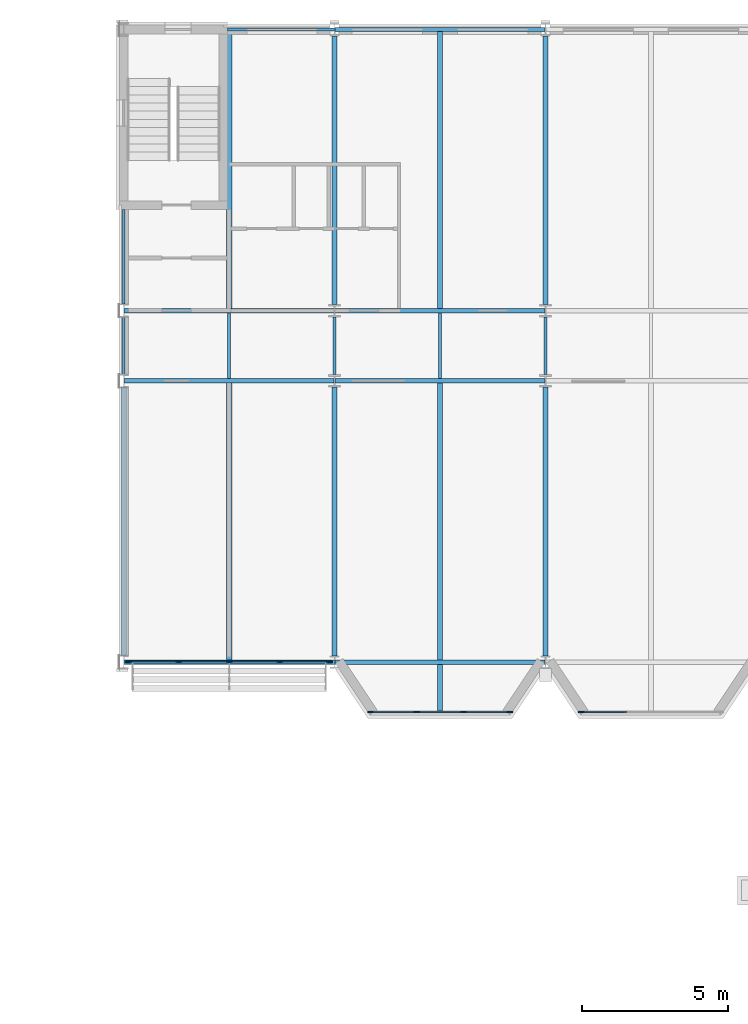
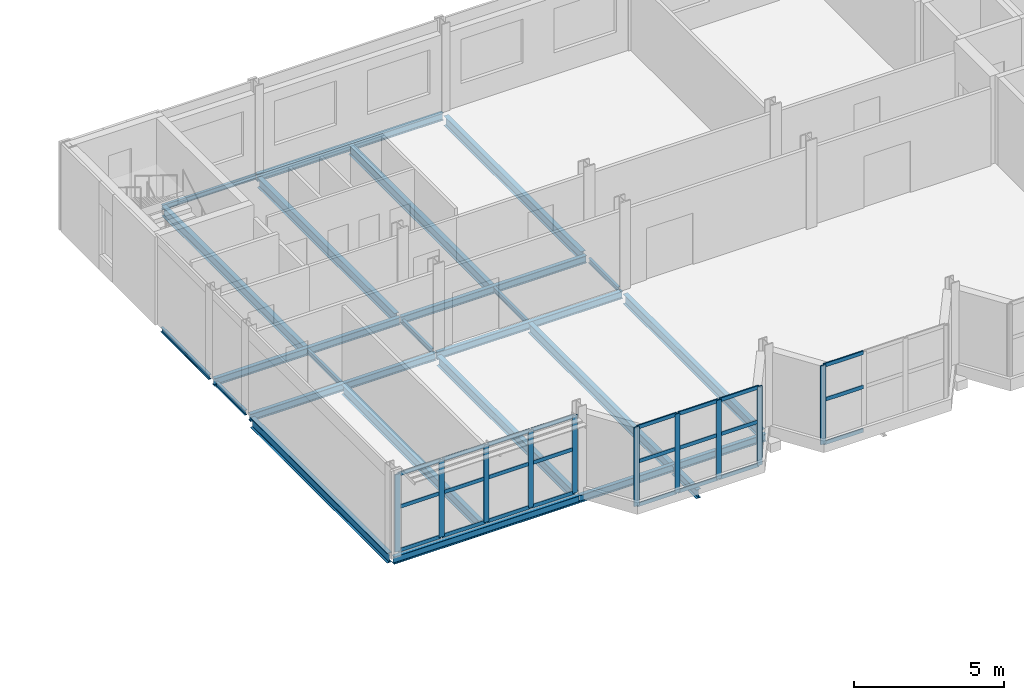
# One storey, part 33 of 120: 34 members, 24 beams, 3 elements without a shape of their own.
"""IFC4 building model written with IfcOpenShell, lengths in metres."""

import ifcopenshell
import ifcopenshell.guid

model = None  # the IFC model being written
_history = None  # IfcOwnerHistory: only IFC2X3 demands one
_inside = {}  # id of a spatial element -> (the spatial element, [elements in it])
_under = {}  # id of a project, library or spatial element -> (it, [spatial elements below it])
_declared = {}  # id of a project -> (the project, [libraries it declares])
_typed = {}  # id of a type object -> (the type object, [elements of that type])
_made_of = {}  # id of a material, layer set ... -> (it, [elements and type objects made of it])


def new_model(schema):
    """Start an empty IFC model of exactly this schema.

    Asked for "IFC4X3", IfcOpenShell would pick the latest addendum, in which some entities
    have other attributes; the version numbers below select the first issue.
    IFC2X3 requires an IfcOwnerHistory on every rooted entity: one is made here for all.
    """
    global model, _history
    if schema == "IFC4X3":
        model = ifcopenshell.file(schema_version=(4, 3, 0, 0))
    else:
        model = ifcopenshell.file(schema=schema)
    _inside.clear()
    _under.clear()
    _declared.clear()
    _typed.clear()
    _made_of.clear()
    _history = None
    if model.schema == "IFC2X3":
        org = make("IfcOrganization", Name="unknown")
        user = make(
            "IfcPersonAndOrganization",
            ThePerson=make("IfcPerson", FamilyName="unknown"),
            TheOrganization=org,
        )
        app = make(
            "IfcApplication",
            ApplicationDeveloper=org,
            Version="unknown",
            ApplicationFullName="unknown",
            ApplicationIdentifier="unknown",
        )
        _history = make(
            "IfcOwnerHistory",
            OwningUser=user,
            OwningApplication=app,
            ChangeAction="ADDED",
            CreationDate=0,
        )
    return model


def make(cls, **values):
    """One entity of the class cls with the attributes given. An attribute that is None is left unset."""
    return model.create_entity(
        cls, **{name: value for name, value in values.items() if value is not None}
    )


def rooted(cls, **values):
    """An entity with a GlobalId (a new one), such as an element, a storey or a relation."""
    return make(cls, GlobalId=ifcopenshell.guid.new(), OwnerHistory=_history, **values)


def si_unit(unit_type, name, prefix=None):
    """IfcSIUnit, for example si_unit("LENGTHUNIT", "METRE", prefix="MILLI")."""
    return make("IfcSIUnit", UnitType=unit_type, Prefix=prefix, Name=name)


def assignment(units):
    """IfcUnitAssignment: the units of a project."""
    return None if units is None else make("IfcUnitAssignment", Units=units)


def point(xyz):
    """IfcCartesianPoint."""
    return None if xyz is None else make("IfcCartesianPoint", Coordinates=xyz)


def direction(xyz):
    """IfcDirection."""
    return None if xyz is None else make("IfcDirection", DirectionRatios=xyz)


def frame(location, z_axis=None, x_axis=None):
    """IfcAxis2Placement3D, a coordinate frame: its origin and axes. An axis left out is left unset."""
    return make(
        "IfcAxis2Placement3D",
        Location=point(location),
        Axis=direction(z_axis),
        RefDirection=direction(x_axis),
    )


def frame_2d(location, x_axis=None):
    """IfcAxis2Placement2D, a coordinate frame in the plane: its origin and x axis."""
    return make(
        "IfcAxis2Placement2D", Location=point(location), RefDirection=direction(x_axis)
    )


def origin():
    """The frame at (0, 0, 0) with its axes left unset."""
    return frame((0.0, 0.0, 0.0))


def origin_2d():
    """The frame at (0, 0) in the plane with its x axis left unset."""
    return frame_2d((0.0, 0.0))


def place(relative_to, where):
    """IfcLocalPlacement: puts the frame where relative to a parent placement (None: the world)."""
    return make(
        "IfcLocalPlacement", PlacementRelTo=relative_to, RelativePlacement=where
    )


def context(
    kind, dimensions, precision=None, world=None, true_north=None, identifier=None
):
    """IfcGeometricRepresentationContext, for example the 3D "Model" context."""
    return make(
        "IfcGeometricRepresentationContext",
        ContextIdentifier=identifier,
        ContextType=kind,
        CoordinateSpaceDimension=dimensions,
        Precision=precision,
        WorldCoordinateSystem=world,
        TrueNorth=true_north,
    )


def subcontext(parent, identifier, kind, view, scale=None):
    """IfcGeometricRepresentationSubContext, for example "Body" below "Model"."""
    return make(
        "IfcGeometricRepresentationSubContext",
        ContextIdentifier=identifier,
        ContextType=kind,
        ParentContext=parent,
        TargetScale=scale,
        TargetView=view,
    )


def project(units=None, contexts=None):
    """IfcProject with its units and contexts."""
    return rooted(
        "IfcProject",
        Name="project",
        RepresentationContexts=contexts,
        UnitsInContext=assignment(units),
    )


def spatial(cls, under=None, at=None, **own):
    """A site, building, storey or space (cls), placed at a placement, below another one or the project."""
    s = rooted(cls, ObjectPlacement=at, **own)
    if under is not None:
        _under.setdefault(under.id(), (under, []))[1].append(s)
    return s


def profile(cls, at=None, kind="AREA", **sizes):
    """A parametric profile (cls). Its sizes go by their IFC names, for example OverallWidth=200.0."""
    return make(cls, ProfileType=kind, Position=at, **sizes)


def rectangle(**sizes):
    """IfcRectangleProfileDef."""
    return profile("IfcRectangleProfileDef", **sizes)


def i_section(**sizes):
    """IfcIShapeProfileDef."""
    return profile("IfcIShapeProfileDef", **sizes)


def extrude(swept, where, along, depth):
    """IfcExtrudedAreaSolid: the profile swept, set in the frame where, extruded along a direction by depth."""
    return make(
        "IfcExtrudedAreaSolid",
        SweptArea=swept,
        Position=where,
        ExtrudedDirection=direction(along),
        Depth=depth,
    )


def shape(context_of_items, identifier, shape_type, items):
    """IfcShapeRepresentation: the items that make up one representation, for example the "Body"."""
    return make(
        "IfcShapeRepresentation",
        ContextOfItems=context_of_items,
        RepresentationIdentifier=identifier,
        RepresentationType=shape_type,
        Items=items,
    )


def material(Name=None, Category=None):
    """IfcMaterial."""
    return make("IfcMaterial", Name=Name, Category=Category)


def material_profile(
    of_material, cross_section, Name=None, Category=None, Priority=None
):
    """IfcMaterialProfile: a cross section and its material."""
    return make(
        "IfcMaterialProfile",
        Name=Name,
        Material=of_material,
        Profile=cross_section,
        Priority=Priority,
        Category=Category,
    )


def profile_set(profiles, Name=None, composite=None):
    """IfcMaterialProfileSet."""
    return make(
        "IfcMaterialProfileSet",
        Name=Name,
        MaterialProfiles=profiles,
        CompositeProfile=composite,
    )


def made_of(thing, what):
    """Note that an element or type object is made of a material, layer set ...; save() writes the relation."""
    if what is not None:
        _made_of.setdefault(what.id(), (what, []))[1].append(thing)
    return thing


def type_object(cls, material=None, **own):
    """A type object (cls), such as IfcWallType, which elements share."""
    return made_of(rooted(cls, **own), material)


def element(
    cls,
    number,
    at=None,
    inside=None,
    cuts=None,
    type_object=None,
    material=None,
    context=None,
    identifier="Body",
    shape_type=None,
    held_by="IfcProductDefinitionShape",
    body=None,
    shapes=None,
    **own,
):
    """One element of the class cls, such as IfcWall. Its Tag is "e" and its number.

    at: its placement. inside: the storey or other place that contains it. cuts: it is an
    opening in that element (IfcRelVoidsElement). A single representation is given by context,
    identifier, shape_type and body (its items); several are given by shapes. held_by: the class
    of the entity that holds the representations. save() writes the other relations.
    """
    e = rooted(cls, Tag="e%d" % number, ObjectPlacement=at, **own)
    if body is not None:
        shapes = [shape(context, identifier, shape_type, body)]
    if shapes is not None:
        e.Representation = make(held_by, Representations=shapes)
    if inside is not None:
        _inside.setdefault(inside.id(), (inside, []))[1].append(e)
    if cuts is not None:
        rooted(
            "IfcRelVoidsElement", RelatingBuildingElement=cuts, RelatedOpeningElement=e
        )
    if type_object is not None:
        _typed.setdefault(type_object.id(), (type_object, []))[1].append(e)
    return made_of(e, material)


def aggregate(whole, parts):
    """IfcRelAggregates: a whole, such as a stair, and the parts it consists of."""
    return rooted("IfcRelAggregates", RelatingObject=whole, RelatedObjects=parts)


def save(model, path):
    """Write the relations noted so far, then the file.

    IfcRelAggregates (storeys below a building ...), IfcRelContainedInSpatialStructure (elements
    in a storey), IfcRelDefinesByType, IfcRelAssociatesMaterial and IfcRelDeclares: one each for
    every whole, place, type object, material and project.
    """
    for whole, parts in _under.values():
        aggregate(whole, parts)
    for where, things in _inside.values():
        rooted(
            "IfcRelContainedInSpatialStructure",
            RelatedElements=things,
            RelatingStructure=where,
        )
    for kind, things in _typed.values():
        rooted("IfcRelDefinesByType", RelatedObjects=things, RelatingType=kind)
    for what, things in _made_of.values():
        rooted("IfcRelAssociatesMaterial", RelatedObjects=things, RelatingMaterial=what)
    for by, libraries in _declared.values():
        rooted("IfcRelDeclares", RelatingContext=by, RelatedDefinitions=libraries)
    model.write(path)


model = new_model("IFC4")

# Units and contexts
model_context = context("Model", 3, precision=1e-05, world=origin(), true_north=direction((0.0, 1.0)))
body_context = subcontext(model_context, "Body", "Model", "MODEL_VIEW")
ifc_project = project(units=[si_unit("LENGTHUNIT", "METRE"), si_unit("AREAUNIT", "SQUARE_METRE"), si_unit("VOLUMEUNIT", "CUBIC_METRE"), si_unit("PLANEANGLEUNIT", "RADIAN"), si_unit("MASSUNIT", "GRAM", prefix="KILO")], contexts=[model_context])

# Site, building, storey
site_placement = place(None, origin())
site = spatial("IfcSite", under=ifc_project, at=site_placement, CompositionType="ELEMENT")
building_placement = place(site_placement, origin())
building = spatial("IfcBuilding", under=site, at=building_placement, Name="Kupolbacken Congress Centre", CompositionType="ELEMENT")
storey_placement = place(building_placement, frame((0.0, 0.0, 21.60009765625)))
storey = spatial("IfcBuildingStorey", under=building, at=storey_placement, Name="L06", CompositionType="ELEMENT", Elevation=21.60009765625)

# Beams
ifc_material_1 = material(Name="Steel S355", Category="steel")
ifc_material_profile_1 = material_profile(ifc_material_1, i_section(OverallWidth=0.10009765625, OverallDepth=0.199951171875, WebThickness=0.005615234375, FlangeThickness=0.008544921875, FilletRadius=0.011962890625, at=origin_2d()), Name="IPE 200")
ifc_profile_set_1 = profile_set([ifc_material_profile_1], Name="Steel S355")
beam_type_1 = type_object("IfcBeamType", Name="B01 beam IPE 200", PredefinedType="BEAM", material=ifc_profile_set_1)
beam_1_placement = place(storey_placement, frame((68.35009765625, 144.0, -0.239990234375), z_axis=(1.0, 0.0, 0.0), x_axis=(0.0, 1.0, 0.0)))
element("IfcBeam", 1, at=beam_1_placement, inside=storey, type_object=beam_type_1, Name="S/floor/T/L06/R025", PredefinedType="BEAM", context=body_context, shape_type="SweptSolid", body=[
    extrude(i_section(OverallWidth=0.10009765625, OverallDepth=0.199951171875, WebThickness=0.005615234375, FlangeThickness=0.008544921875, FilletRadius=0.011962890625, at=origin_2d()), origin(), (0.0, 0.0, 1.0), 3.639404296875),
])
beam_2_placement = place(storey_placement, frame((64.800048828125, 132.22509765625, -0.239990234375), z_axis=(0.0, 1.0, 0.0), x_axis=(-1.0, 0.0, 0.0)))
element("IfcBeam", 2, at=beam_2_placement, inside=storey, type_object=beam_type_1, Name="S/floor/T/L06/S034", PredefinedType="BEAM", context=body_context, shape_type="SweptSolid", body=[
    extrude(i_section(OverallWidth=0.10009765625, OverallDepth=0.199951171875, WebThickness=0.005615234375, FlangeThickness=0.008544921875, FilletRadius=0.011962890625, at=origin_2d()), origin(), (0.0, 0.0, 1.0), 1.949951171875),
])
beam_3_placement = place(storey_placement, frame((64.800048828125, 134.625, -0.239990234375), z_axis=(0.0, 1.0, 0.0), x_axis=(-1.0, 0.0, 0.0)))
element("IfcBeam", 3, at=beam_3_placement, inside=storey, type_object=beam_type_1, Name="S/floor/T/L06/S035", PredefinedType="BEAM", context=body_context, shape_type="SweptSolid", body=[
    extrude(i_section(OverallWidth=0.10009765625, OverallDepth=0.199951171875, WebThickness=0.005615234375, FlangeThickness=0.008544921875, FilletRadius=0.011962890625, at=origin_2d()), origin(), (0.0, 0.0, 1.0), 3.22509765625),
])
beam_4_placement = place(storey_placement, frame((68.39990234375, 132.074951171875, -0.239990234375), z_axis=(0.0, 1.0, 0.0), x_axis=(-1.0, 0.0, 0.0)))
element("IfcBeam", 4, at=beam_4_placement, inside=storey, type_object=beam_type_1, Name="S/floor/T/L06/S037", PredefinedType="BEAM", context=body_context, shape_type="SweptSolid", body=[
    extrude(i_section(OverallWidth=0.10009765625, OverallDepth=0.199951171875, WebThickness=0.005615234375, FlangeThickness=0.008544921875, FilletRadius=0.011962890625, at=origin_2d()), origin(), (0.0, 0.0, 1.0), 2.25),
])
beam_5_placement = place(storey_placement, frame((72.0, 132.21240234375, -0.239990234375), z_axis=(0.0, 1.0, 0.0), x_axis=(-1.0, 0.0, 0.0)))
element("IfcBeam", 5, at=beam_5_placement, inside=storey, type_object=beam_type_1, Name="S/floor/T/L06/S040", PredefinedType="BEAM", context=body_context, shape_type="SweptSolid", body=[
    extrude(i_section(OverallWidth=0.10009765625, OverallDepth=0.199951171875, WebThickness=0.005615234375, FlangeThickness=0.008544921875, FilletRadius=0.011962890625, at=origin_2d()), origin(), (0.0, 0.0, 1.0), 1.97509765625),
])
beam_6_placement = place(storey_placement, frame((75.60009765625, 132.074951171875, -0.239990234375), z_axis=(0.0, 1.0, 0.0), x_axis=(-1.0, 0.0, 0.0)))
element("IfcBeam", 6, at=beam_6_placement, inside=storey, type_object=beam_type_1, Name="S/floor/T/L06/S043", PredefinedType="BEAM", context=body_context, shape_type="SweptSolid", body=[
    extrude(i_section(OverallWidth=0.10009765625, OverallDepth=0.199951171875, WebThickness=0.005615234375, FlangeThickness=0.008544921875, FilletRadius=0.011962890625, at=origin_2d()), origin(), (0.0, 0.0, 1.0), 2.25),
])
beam_7_placement = place(storey_placement, frame((79.199951171875, 132.21240234375, -0.239990234375), z_axis=(0.0, 1.0, 0.0), x_axis=(-1.0, 0.0, 0.0)))
element("IfcBeam", 7, at=beam_7_placement, inside=storey, type_object=beam_type_1, Name="S/floor/T/L06/S046", PredefinedType="BEAM", context=body_context, shape_type="SweptSolid", body=[
    extrude(i_section(OverallWidth=0.10009765625, OverallDepth=0.199951171875, WebThickness=0.005615234375, FlangeThickness=0.008544921875, FilletRadius=0.011962890625, at=origin_2d()), origin(), (0.0, 0.0, 1.0), 1.97509765625),
])
ifc_material_2 = material(Name="Steel S355", Category="steel")
ifc_material_profile_2 = material_profile(ifc_material_2, i_section(OverallWidth=0.14990234375, OverallDepth=0.300048828125, WebThickness=0.007080078125, FlangeThickness=0.0107421875, FilletRadius=0.014892578125, at=origin_2d()), Name="IPE 300")
ifc_profile_set_2 = profile_set([ifc_material_profile_2], Name="Steel S355")
beam_type_2 = type_object("IfcBeamType", Name="B04 beam IPE 300", PredefinedType="BEAM", material=ifc_profile_set_2)
beam_8_placement = place(storey_placement, frame((64.806884765625, 122.39990234375, -0.2900390625), z_axis=(1.0, 0.0, 0.0), x_axis=(0.0, 1.0, 0.0)))
element("IfcBeam", 8, at=beam_8_placement, inside=storey, type_object=beam_type_2, Name="S/floor/T/L06/R001", PredefinedType="BEAM", context=body_context, shape_type="SweptSolid", body=[
    extrude(i_section(OverallWidth=0.14990234375, OverallDepth=0.300048828125, WebThickness=0.007080078125, FlangeThickness=0.0107421875, FilletRadius=0.014892578125, at=origin_2d()), origin(), (0.0, 0.0, 1.0), 7.1826171875),
])
beam_9_placement = place(storey_placement, frame((72.010498046875, 122.39990234375, -0.2900390625), z_axis=(1.0, 0.0, 0.0), x_axis=(0.0, 1.0, 0.0)))
element("IfcBeam", 9, at=beam_9_placement, inside=storey, type_object=beam_type_2, Name="S/floor/T/L06/R002", PredefinedType="BEAM", context=body_context, shape_type="SweptSolid", body=[
    extrude(i_section(OverallWidth=0.14990234375, OverallDepth=0.300048828125, WebThickness=0.007080078125, FlangeThickness=0.0107421875, FilletRadius=0.014892578125, at=origin_2d()), origin(), (0.0, 0.0, 1.0), 7.178955078125),
])
beam_10_placement = place(storey_placement, frame((64.806884765625, 132.0, -0.2900390625), z_axis=(1.0, 0.0, 0.0), x_axis=(0.0, 1.0, 0.0)))
element("IfcBeam", 10, at=beam_10_placement, inside=storey, type_object=beam_type_2, Name="S/floor/T/L06/R009", PredefinedType="BEAM", context=body_context, shape_type="SweptSolid", body=[
    extrude(i_section(OverallWidth=0.14990234375, OverallDepth=0.300048828125, WebThickness=0.007080078125, FlangeThickness=0.0107421875, FilletRadius=0.014892578125, at=origin_2d()), origin(), (0.0, 0.0, 1.0), 7.1767578125),
])
beam_11_placement = place(storey_placement, frame((72.016357421875, 132.0, -0.2900390625), z_axis=(1.0, 0.0, 0.0), x_axis=(0.0, 1.0, 0.0)))
element("IfcBeam", 11, at=beam_11_placement, inside=storey, type_object=beam_type_2, Name="S/floor/T/L06/R010", PredefinedType="BEAM", context=body_context, shape_type="SweptSolid", body=[
    extrude(i_section(OverallWidth=0.14990234375, OverallDepth=0.300048828125, WebThickness=0.007080078125, FlangeThickness=0.0107421875, FilletRadius=0.014892578125, at=origin_2d()), origin(), (0.0, 0.0, 1.0), 7.167236328125),
])
beam_12_placement = place(storey_placement, frame((64.806884765625, 134.39990234375, -0.2900390625), z_axis=(1.0, 0.0, 0.0), x_axis=(0.0, 1.0, 0.0)))
element("IfcBeam", 12, at=beam_12_placement, inside=storey, type_object=beam_type_2, Name="S/floor/T/L06/R017", PredefinedType="BEAM", context=body_context, shape_type="SweptSolid", body=[
    extrude(i_section(OverallWidth=0.14990234375, OverallDepth=0.300048828125, WebThickness=0.007080078125, FlangeThickness=0.0107421875, FilletRadius=0.014892578125, at=origin_2d()), origin(), (0.0, 0.0, 1.0), 7.1767578125),
])
beam_13_placement = place(storey_placement, frame((72.016357421875, 134.39990234375, -0.2900390625), z_axis=(1.0, 0.0, 0.0), x_axis=(0.0, 1.0, 0.0)))
element("IfcBeam", 13, at=beam_13_placement, inside=storey, type_object=beam_type_2, Name="S/floor/T/L06/R018", PredefinedType="BEAM", context=body_context, shape_type="SweptSolid", body=[
    extrude(i_section(OverallWidth=0.14990234375, OverallDepth=0.300048828125, WebThickness=0.007080078125, FlangeThickness=0.0107421875, FilletRadius=0.014892578125, at=origin_2d()), origin(), (0.0, 0.0, 1.0), 7.167236328125),
])
beam_14_placement = place(storey_placement, frame((72.010498046875, 144.0, -0.2900390625), z_axis=(1.0, 0.0, 0.0), x_axis=(0.0, 1.0, 0.0)))
element("IfcBeam", 14, at=beam_14_placement, inside=storey, type_object=beam_type_2, Name="S/floor/T/L06/R026", PredefinedType="BEAM", context=body_context, shape_type="SweptSolid", body=[
    extrude(i_section(OverallWidth=0.14990234375, OverallDepth=0.300048828125, WebThickness=0.007080078125, FlangeThickness=0.0107421875, FilletRadius=0.014892578125, at=origin_2d()), origin(), (0.0, 0.0, 1.0), 7.178955078125),
])
ifc_material_3 = material(Name="Steel S355", Category="steel")
ifc_material_profile_3 = material_profile(ifc_material_3, i_section(OverallWidth=0.169921875, OverallDepth=0.360107421875, WebThickness=0.008056640625, FlangeThickness=0.0126953125, FilletRadius=0.01806640625, at=origin_2d()), Name="IPE 360")
ifc_profile_set_3 = profile_set([ifc_material_profile_3], Name="Steel S355")
beam_type_3 = type_object("IfcBeamType", Name="B06 beam IPE 360", PredefinedType="BEAM", material=ifc_profile_set_3)
beam_15_placement = place(storey_placement, frame((75.60009765625, 122.324951171875, -0.320068359375), z_axis=(0.0, -1.0, 0.0), x_axis=(1.0, 0.0, 0.0)))
element("IfcBeam", 15, at=beam_15_placement, inside=storey, type_object=beam_type_3, Name="S/floor/T/L06/C077", PredefinedType="BEAM", context=body_context, shape_type="SweptSolid", body=[
    extrude(i_section(OverallWidth=0.169921875, OverallDepth=0.360107421875, WebThickness=0.008056640625, FlangeThickness=0.0126953125, FilletRadius=0.01806640625, at=origin_2d()), origin(), (0.0, 0.0, 1.0), 1.6650390625),
])
ifc_material_4 = material(Name="Steel S355", Category="steel")
ifc_material_profile_4 = material_profile(ifc_material_4, i_section(OverallWidth=0.179931640625, OverallDepth=0.39990234375, WebThickness=0.008544921875, FlangeThickness=0.013427734375, FilletRadius=0.02099609375, at=origin_2d()), Name="IPE 400")
ifc_profile_set_4 = profile_set([ifc_material_profile_4], Name="Steel S355")
beam_type_4 = type_object("IfcBeamType", Name="B07 beam IPE 400", PredefinedType="BEAM", material=ifc_profile_set_4)
beam_16_placement = place(storey_placement, frame((64.800048828125, 122.625, -0.340087890625), z_axis=(0.0, 1.0, 0.0), x_axis=(-1.0, 0.0, 0.0)))
element("IfcBeam", 16, at=beam_16_placement, inside=storey, type_object=beam_type_4, Name="S/floor/T/L06/S033", PredefinedType="BEAM", context=body_context, shape_type="SweptSolid", body=[
    extrude(i_section(OverallWidth=0.179931640625, OverallDepth=0.39990234375, WebThickness=0.008544921875, FlangeThickness=0.013427734375, FilletRadius=0.02099609375, at=origin_2d()), origin(), (0.0, 0.0, 1.0), 9.14990234375),
])
beam_17_placement = place(storey_placement, frame((68.39990234375, 122.47509765625, -0.340087890625), z_axis=(0.0, 1.0, 0.0), x_axis=(-1.0, 0.0, 0.0)))
element("IfcBeam", 17, at=beam_17_placement, inside=storey, type_object=beam_type_4, Name="S/floor/T/L06/S036", PredefinedType="BEAM", context=body_context, shape_type="SweptSolid", body=[
    extrude(i_section(OverallWidth=0.179931640625, OverallDepth=0.39990234375, WebThickness=0.008544921875, FlangeThickness=0.013427734375, FilletRadius=0.02099609375, at=origin_2d()), origin(), (0.0, 0.0, 1.0), 9.449951171875),
])
beam_18_placement = place(storey_placement, frame((68.39990234375, 134.47509765625, -0.340087890625), z_axis=(0.0, 1.0, 0.0), x_axis=(-1.0, 0.0, 0.0)))
element("IfcBeam", 18, at=beam_18_placement, inside=storey, type_object=beam_type_4, Name="S/floor/T/L06/S038", PredefinedType="BEAM", context=body_context, shape_type="SweptSolid", body=[
    extrude(i_section(OverallWidth=0.179931640625, OverallDepth=0.39990234375, WebThickness=0.008544921875, FlangeThickness=0.013427734375, FilletRadius=0.02099609375, at=origin_2d()), origin(), (0.0, 0.0, 1.0), 9.474853515625),
])
beam_19_placement = place(storey_placement, frame((72.0, 122.615966796875, -0.340087890625), z_axis=(0.0, 1.0, 0.0), x_axis=(-1.0, 0.0, 0.0)))
element("IfcBeam", 19, at=beam_19_placement, inside=storey, type_object=beam_type_4, Name="S/floor/T/L06/S039", PredefinedType="BEAM", context=body_context, shape_type="SweptSolid", body=[
    extrude(i_section(OverallWidth=0.179931640625, OverallDepth=0.39990234375, WebThickness=0.008544921875, FlangeThickness=0.013427734375, FilletRadius=0.02099609375, at=origin_2d()), origin(), (0.0, 0.0, 1.0), 9.171630859375),
])
beam_20_placement = place(storey_placement, frame((72.0, 134.612548828125, -0.340087890625), z_axis=(0.0, 1.0, 0.0), x_axis=(-1.0, 0.0, 0.0)))
element("IfcBeam", 20, at=beam_20_placement, inside=storey, type_object=beam_type_4, Name="S/floor/T/L06/S041", PredefinedType="BEAM", context=body_context, shape_type="SweptSolid", body=[
    extrude(i_section(OverallWidth=0.179931640625, OverallDepth=0.39990234375, WebThickness=0.008544921875, FlangeThickness=0.013427734375, FilletRadius=0.02099609375, at=origin_2d()), origin(), (0.0, 0.0, 1.0), 9.17138671875),
])
for number, where, z_axis, x_axis, name in (
    (21, (75.60009765625, 122.47509765625, -0.340087890625), (0.0, 1.0, 0.0), (-1.0, 0.0, 0.0), "S/floor/T/L06/S042"),
    (22, (75.60009765625, 134.47509765625, -0.340087890625), (0.0, 1.0, 0.0), (-1.0, 0.0, 0.0), "S/floor/T/L06/S044"),
):
    element("IfcBeam", number, at=place(storey_placement, frame(where, z_axis=z_axis, x_axis=x_axis)), inside=storey, type_object=beam_type_4, Name=name, PredefinedType="BEAM", context=body_context, shape_type="SweptSolid", body=[
        extrude(i_section(OverallWidth=0.179931640625, OverallDepth=0.39990234375, WebThickness=0.008544921875, FlangeThickness=0.013427734375, FilletRadius=0.02099609375, at=origin_2d()), origin(), (0.0, 0.0, 1.0), 9.449951171875),
    ])
beam_21_placement = place(storey_placement, frame((79.199951171875, 122.615966796875, -0.340087890625), z_axis=(0.0, 1.0, 0.0), x_axis=(-1.0, 0.0, 0.0)))
element("IfcBeam", 23, at=beam_21_placement, inside=storey, type_object=beam_type_4, Name="S/floor/T/L06/S045", PredefinedType="BEAM", context=body_context, shape_type="SweptSolid", body=[
    extrude(i_section(OverallWidth=0.179931640625, OverallDepth=0.39990234375, WebThickness=0.008544921875, FlangeThickness=0.013427734375, FilletRadius=0.02099609375, at=origin_2d()), origin(), (0.0, 0.0, 1.0), 9.171630859375),
])
beam_22_placement = place(storey_placement, frame((79.199951171875, 134.612548828125, -0.340087890625), z_axis=(0.0, 1.0, 0.0), x_axis=(-1.0, 0.0, 0.0)))
element("IfcBeam", 24, at=beam_22_placement, inside=storey, type_object=beam_type_4, Name="S/floor/T/L06/S047", PredefinedType="BEAM", context=body_context, shape_type="SweptSolid", body=[
    extrude(i_section(OverallWidth=0.179931640625, OverallDepth=0.39990234375, WebThickness=0.008544921875, FlangeThickness=0.013427734375, FilletRadius=0.02099609375, at=origin_2d()), origin(), (0.0, 0.0, 1.0), 9.17138671875),
])

# Curtain wall, members
ifc_material_5 = material(Name="Aluminium mullion-transom frame with glass", Category="aluminium")
curtain_wall_type = type_object("IfcCurtainWallType", Name="CW1 curtain wall 7200x3600", PredefinedType="NOTDEFINED", material=ifc_material_5)
curtain_wall_1_placement = place(storey_placement, origin())
curtain_wall_1 = element("IfcCurtainWall", 25, at=curtain_wall_1_placement, inside=storey, type_object=curtain_wall_type, Name="E/T/S/L06/093/g0", PredefinedType="NOTDEFINED")
ifc_material_6 = material(Name="Aluminium alloy", Category="aluminium")
ifc_material_profile_5 = material_profile(ifc_material_6, rectangle(XDim=0.050048828125, YDim=0.199951171875, at=origin_2d()), Name="50 x 200")
ifc_profile_set_5 = profile_set([ifc_material_profile_5], Name="Aluminium alloy")
member_type_1 = type_object("IfcMemberType", Name="MU2 mullion 50x200", PredefinedType="MULLION", material=ifc_profile_set_5)
member_1_placement = place(storey_placement, frame((64.97509765625, 122.39990234375, 0.0), z_axis=(0.0, 0.0, 1.0), x_axis=(0.0, 1.0, 0.0)))
member_1 = element("IfcMember", 26, at=member_1_placement, type_object=member_type_1, Name="CW1 mullion 1", PredefinedType="MULLION", context=body_context, shape_type="SweptSolid", body=[
    extrude(rectangle(XDim=0.050048828125, YDim=0.199951171875, at=origin_2d()), origin(), (0.0, 0.0, 1.0), 3.159912109375),
])
member_2_placement = place(storey_placement, frame((66.674072265625, 122.39990234375, 0.0), z_axis=(0.0, 0.0, 1.0), x_axis=(0.0, 1.0, 0.0)))
member_2 = element("IfcMember", 27, at=member_2_placement, type_object=member_type_1, Name="CW1 mullion 2", PredefinedType="MULLION", context=body_context, shape_type="SweptSolid", body=[
    extrude(rectangle(XDim=0.050048828125, YDim=0.199951171875, at=origin_2d()), origin(), (0.0, 0.0, 1.0), 3.159912109375),
])
member_3_placement = place(storey_placement, frame((68.398193359375, 122.39990234375, 0.0), z_axis=(0.0, 0.0, 1.0), x_axis=(0.0, 1.0, 0.0)))
member_3 = element("IfcMember", 28, at=member_3_placement, type_object=member_type_1, Name="CW1 mullion 3", PredefinedType="MULLION", context=body_context, shape_type="SweptSolid", body=[
    extrude(rectangle(XDim=0.050048828125, YDim=0.199951171875, at=origin_2d()), origin(), (0.0, 0.0, 1.0), 3.159912109375),
])
member_4_placement = place(storey_placement, frame((70.122314453125, 122.39990234375, 0.0), z_axis=(0.0, 0.0, 1.0), x_axis=(0.0, 1.0, 0.0)))
member_4 = element("IfcMember", 29, at=member_4_placement, type_object=member_type_1, Name="CW1 mullion 4", PredefinedType="MULLION", context=body_context, shape_type="SweptSolid", body=[
    extrude(rectangle(XDim=0.050048828125, YDim=0.199951171875, at=origin_2d()), origin(), (0.0, 0.0, 1.0), 3.159912109375),
])
member_5_placement = place(storey_placement, frame((71.821533203125, 122.39990234375, 0.0), z_axis=(0.0, 0.0, 1.0), x_axis=(0.0, 1.0, 0.0)))
member_5 = element("IfcMember", 30, at=member_5_placement, type_object=member_type_1, Name="CW1 mullion 5", PredefinedType="MULLION", context=body_context, shape_type="SweptSolid", body=[
    extrude(rectangle(XDim=0.050048828125, YDim=0.199951171875, at=origin_2d()), origin(), (0.0, 0.0, 1.0), 3.159912109375),
])

curtain_wall_2_placement = place(storey_placement, origin())
curtain_wall_2 = element("IfcCurtainWall", 31, at=curtain_wall_2_placement, inside=storey, type_object=curtain_wall_type, Name="E/T/cumba/L06/S/002/cw", PredefinedType="NOTDEFINED")
member_6_placement = place(storey_placement, frame((73.22509765625, 120.699951171875, 0.0), z_axis=(0.0, 0.0, 1.0), x_axis=(0.0, 1.0, 0.0)))
member_6 = element("IfcMember", 32, at=member_6_placement, type_object=member_type_1, Name="CW1 mullion 1", PredefinedType="MULLION", context=body_context, shape_type="SweptSolid", body=[
    extrude(rectangle(XDim=0.050048828125, YDim=0.199951171875, at=origin_2d()), origin(), (0.0, 0.0, 1.0), 3.219970703125),
])
member_7_placement = place(storey_placement, frame((74.800048828125, 120.699951171875, 0.0), z_axis=(0.0, 0.0, 1.0), x_axis=(0.0, 1.0, 0.0)))
member_7 = element("IfcMember", 33, at=member_7_placement, type_object=member_type_1, Name="CW1 mullion 2", PredefinedType="MULLION", context=body_context, shape_type="SweptSolid", body=[
    extrude(rectangle(XDim=0.050048828125, YDim=0.199951171875, at=origin_2d()), origin(), (0.0, 0.0, 1.0), 3.219970703125),
])
member_8_placement = place(storey_placement, frame((76.39990234375, 120.699951171875, 0.0), z_axis=(0.0, 0.0, 1.0), x_axis=(0.0, 1.0, 0.0)))
member_8 = element("IfcMember", 34, at=member_8_placement, type_object=member_type_1, Name="CW1 mullion 3", PredefinedType="MULLION", context=body_context, shape_type="SweptSolid", body=[
    extrude(rectangle(XDim=0.050048828125, YDim=0.199951171875, at=origin_2d()), origin(), (0.0, 0.0, 1.0), 3.219970703125),
])
member_9_placement = place(storey_placement, frame((77.97509765625, 120.699951171875, 0.0), z_axis=(0.0, 0.0, 1.0), x_axis=(0.0, 1.0, 0.0)))
member_9 = element("IfcMember", 35, at=member_9_placement, type_object=member_type_1, Name="CW1 mullion 4", PredefinedType="MULLION", context=body_context, shape_type="SweptSolid", body=[
    extrude(rectangle(XDim=0.050048828125, YDim=0.199951171875, at=origin_2d()), origin(), (0.0, 0.0, 1.0), 3.219970703125),
])

# Curtain wall, member
curtain_wall_3_placement = place(storey_placement, origin())
curtain_wall_3 = element("IfcCurtainWall", 36, at=curtain_wall_3_placement, inside=storey, type_object=curtain_wall_type, Name="E/T/cumba/L06/S/006/cw", PredefinedType="NOTDEFINED")
member_10_placement = place(storey_placement, frame((80.425048828125, 120.699951171875, 0.0), z_axis=(0.0, 0.0, 1.0), x_axis=(0.0, 1.0, 0.0)))
member_10 = element("IfcMember", 37, at=member_10_placement, type_object=member_type_1, Name="CW1 mullion 1", PredefinedType="MULLION", context=body_context, shape_type="SweptSolid", body=[
    extrude(rectangle(XDim=0.050048828125, YDim=0.199951171875, at=origin_2d()), origin(), (0.0, 0.0, 1.0), 3.219970703125),
])

# Member
ifc_material_7 = material(Name="Aluminium alloy", Category="aluminium")
ifc_material_profile_6 = material_profile(ifc_material_7, rectangle(XDim=0.050048828125, YDim=0.14990234375, at=origin_2d()), Name="50 x 150")
ifc_profile_set_6 = profile_set([ifc_material_profile_6], Name="Aluminium alloy")
member_type_2 = type_object("IfcMemberType", Name="TR2 transom 50x150", PredefinedType="MULLION", material=ifc_profile_set_6)
member_11_placement = place(storey_placement, frame((65.0, 122.39990234375, 0.02490234375), z_axis=(1.0, 0.0, 0.0), x_axis=(0.0, 1.0, 0.0)))
member_11 = element("IfcMember", 38, at=member_11_placement, type_object=member_type_2, Name="CW1 transom 1.1", PredefinedType="MULLION", context=body_context, shape_type="SweptSolid", body=[
    extrude(rectangle(XDim=0.050048828125, YDim=0.14990234375, at=origin_2d()), origin(), (0.0, 0.0, 1.0), 1.649169921875),
])

member_12_placement = place(storey_placement, frame((65.0, 122.39990234375, 1.7998046875), z_axis=(1.0, 0.0, 0.0), x_axis=(0.0, 1.0, 0.0)))
member_12 = element("IfcMember", 39, at=member_12_placement, type_object=member_type_2, Name="CW1 transom 1.2", PredefinedType="MULLION", context=body_context, shape_type="SweptSolid", body=[
    extrude(rectangle(XDim=0.050048828125, YDim=0.14990234375, at=origin_2d()), origin(), (0.0, 0.0, 1.0), 1.649169921875),
])

member_13_placement = place(storey_placement, frame((65.0, 122.39990234375, 3.135009765625), z_axis=(1.0, 0.0, 0.0), x_axis=(0.0, 1.0, 0.0)))
member_13 = element("IfcMember", 40, at=member_13_placement, type_object=member_type_2, Name="CW1 transom 1.3", PredefinedType="MULLION", context=body_context, shape_type="SweptSolid", body=[
    extrude(rectangle(XDim=0.050048828125, YDim=0.14990234375, at=origin_2d()), origin(), (0.0, 0.0, 1.0), 1.649169921875),
])

member_14_placement = place(storey_placement, frame((66.69921875, 122.39990234375, 0.02490234375), z_axis=(1.0, 0.0, 0.0), x_axis=(0.0, 1.0, 0.0)))
member_14 = element("IfcMember", 41, at=member_14_placement, type_object=member_type_2, Name="CW1 transom 2.1", PredefinedType="MULLION", context=body_context, shape_type="SweptSolid", body=[
    extrude(rectangle(XDim=0.050048828125, YDim=0.14990234375, at=origin_2d()), origin(), (0.0, 0.0, 1.0), 1.674072265625),
])

member_15_placement = place(storey_placement, frame((66.69921875, 122.39990234375, 1.7998046875), z_axis=(1.0, 0.0, 0.0), x_axis=(0.0, 1.0, 0.0)))
member_15 = element("IfcMember", 42, at=member_15_placement, type_object=member_type_2, Name="CW1 transom 2.2", PredefinedType="MULLION", context=body_context, shape_type="SweptSolid", body=[
    extrude(rectangle(XDim=0.050048828125, YDim=0.14990234375, at=origin_2d()), origin(), (0.0, 0.0, 1.0), 1.674072265625),
])

member_16_placement = place(storey_placement, frame((66.69921875, 122.39990234375, 3.135009765625), z_axis=(1.0, 0.0, 0.0), x_axis=(0.0, 1.0, 0.0)))
member_16 = element("IfcMember", 43, at=member_16_placement, type_object=member_type_2, Name="CW1 transom 2.3", PredefinedType="MULLION", context=body_context, shape_type="SweptSolid", body=[
    extrude(rectangle(XDim=0.050048828125, YDim=0.14990234375, at=origin_2d()), origin(), (0.0, 0.0, 1.0), 1.674072265625),
])

member_17_placement = place(storey_placement, frame((68.42333984375, 122.39990234375, 0.02490234375), z_axis=(1.0, 0.0, 0.0), x_axis=(0.0, 1.0, 0.0)))
member_17 = element("IfcMember", 44, at=member_17_placement, type_object=member_type_2, Name="CW1 transom 3.1", PredefinedType="MULLION", context=body_context, shape_type="SweptSolid", body=[
    extrude(rectangle(XDim=0.050048828125, YDim=0.14990234375, at=origin_2d()), origin(), (0.0, 0.0, 1.0), 1.674072265625),
])

member_18_placement = place(storey_placement, frame((68.42333984375, 122.39990234375, 1.7998046875), z_axis=(1.0, 0.0, 0.0), x_axis=(0.0, 1.0, 0.0)))
member_18 = element("IfcMember", 45, at=member_18_placement, type_object=member_type_2, Name="CW1 transom 3.2", PredefinedType="MULLION", context=body_context, shape_type="SweptSolid", body=[
    extrude(rectangle(XDim=0.050048828125, YDim=0.14990234375, at=origin_2d()), origin(), (0.0, 0.0, 1.0), 1.674072265625),
])

member_19_placement = place(storey_placement, frame((68.42333984375, 122.39990234375, 3.135009765625), z_axis=(1.0, 0.0, 0.0), x_axis=(0.0, 1.0, 0.0)))
member_19 = element("IfcMember", 46, at=member_19_placement, type_object=member_type_2, Name="CW1 transom 3.3", PredefinedType="MULLION", context=body_context, shape_type="SweptSolid", body=[
    extrude(rectangle(XDim=0.050048828125, YDim=0.14990234375, at=origin_2d()), origin(), (0.0, 0.0, 1.0), 1.674072265625),
])

member_20_placement = place(storey_placement, frame((70.1474609375, 122.39990234375, 0.02490234375), z_axis=(1.0, 0.0, 0.0), x_axis=(0.0, 1.0, 0.0)))
member_20 = element("IfcMember", 47, at=member_20_placement, type_object=member_type_2, Name="CW1 transom 4.1", PredefinedType="MULLION", context=body_context, shape_type="SweptSolid", body=[
    extrude(rectangle(XDim=0.050048828125, YDim=0.14990234375, at=origin_2d()), origin(), (0.0, 0.0, 1.0), 1.64892578125),
])

member_21_placement = place(storey_placement, frame((70.1474609375, 122.39990234375, 1.7998046875), z_axis=(1.0, 0.0, 0.0), x_axis=(0.0, 1.0, 0.0)))
member_21 = element("IfcMember", 48, at=member_21_placement, type_object=member_type_2, Name="CW1 transom 4.2", PredefinedType="MULLION", context=body_context, shape_type="SweptSolid", body=[
    extrude(rectangle(XDim=0.050048828125, YDim=0.14990234375, at=origin_2d()), origin(), (0.0, 0.0, 1.0), 1.64892578125),
])

member_22_placement = place(storey_placement, frame((70.1474609375, 122.39990234375, 3.135009765625), z_axis=(1.0, 0.0, 0.0), x_axis=(0.0, 1.0, 0.0)))
member_22 = element("IfcMember", 49, at=member_22_placement, type_object=member_type_2, Name="CW1 transom 4.3", PredefinedType="MULLION", context=body_context, shape_type="SweptSolid", body=[
    extrude(rectangle(XDim=0.050048828125, YDim=0.14990234375, at=origin_2d()), origin(), (0.0, 0.0, 1.0), 1.64892578125),
])

aggregate(curtain_wall_1, [member_1, member_2, member_3, member_4, member_5, member_11, member_12, member_13, member_14, member_15, member_16, member_17, member_18, member_19, member_20, member_21, member_22])

member_23_placement = place(storey_placement, frame((73.25, 120.699951171875, 0.02490234375), z_axis=(1.0, 0.0, 0.0), x_axis=(0.0, 1.0, 0.0)))
member_23 = element("IfcMember", 50, at=member_23_placement, type_object=member_type_2, Name="CW1 transom 1.1", PredefinedType="MULLION", context=body_context, shape_type="SweptSolid", body=[
    extrude(rectangle(XDim=0.050048828125, YDim=0.14990234375, at=origin_2d()), origin(), (0.0, 0.0, 1.0), 1.52490234375),
])

member_24_placement = place(storey_placement, frame((73.25, 120.699951171875, 1.7998046875), z_axis=(1.0, 0.0, 0.0), x_axis=(0.0, 1.0, 0.0)))
member_24 = element("IfcMember", 51, at=member_24_placement, type_object=member_type_2, Name="CW1 transom 1.2", PredefinedType="MULLION", context=body_context, shape_type="SweptSolid", body=[
    extrude(rectangle(XDim=0.050048828125, YDim=0.14990234375, at=origin_2d()), origin(), (0.0, 0.0, 1.0), 1.52490234375),
])

member_25_placement = place(storey_placement, frame((73.25, 120.699951171875, 3.19482421875), z_axis=(1.0, 0.0, 0.0), x_axis=(0.0, 1.0, 0.0)))
member_25 = element("IfcMember", 52, at=member_25_placement, type_object=member_type_2, Name="CW1 transom 1.3", PredefinedType="MULLION", context=body_context, shape_type="SweptSolid", body=[
    extrude(rectangle(XDim=0.050048828125, YDim=0.14990234375, at=origin_2d()), origin(), (0.0, 0.0, 1.0), 1.52490234375),
])

member_26_placement = place(storey_placement, frame((74.824951171875, 120.699951171875, 0.02490234375), z_axis=(1.0, 0.0, 0.0), x_axis=(0.0, 1.0, 0.0)))
member_26 = element("IfcMember", 53, at=member_26_placement, type_object=member_type_2, Name="CW1 transom 2.1", PredefinedType="MULLION", context=body_context, shape_type="SweptSolid", body=[
    extrude(rectangle(XDim=0.050048828125, YDim=0.14990234375, at=origin_2d()), origin(), (0.0, 0.0, 1.0), 1.550048828125),
])

member_27_placement = place(storey_placement, frame((74.824951171875, 120.699951171875, 1.7998046875), z_axis=(1.0, 0.0, 0.0), x_axis=(0.0, 1.0, 0.0)))
member_27 = element("IfcMember", 54, at=member_27_placement, type_object=member_type_2, Name="CW1 transom 2.2", PredefinedType="MULLION", context=body_context, shape_type="SweptSolid", body=[
    extrude(rectangle(XDim=0.050048828125, YDim=0.14990234375, at=origin_2d()), origin(), (0.0, 0.0, 1.0), 1.550048828125),
])

member_28_placement = place(storey_placement, frame((74.824951171875, 120.699951171875, 3.19482421875), z_axis=(1.0, 0.0, 0.0), x_axis=(0.0, 1.0, 0.0)))
member_28 = element("IfcMember", 55, at=member_28_placement, type_object=member_type_2, Name="CW1 transom 2.3", PredefinedType="MULLION", context=body_context, shape_type="SweptSolid", body=[
    extrude(rectangle(XDim=0.050048828125, YDim=0.14990234375, at=origin_2d()), origin(), (0.0, 0.0, 1.0), 1.550048828125),
])

member_29_placement = place(storey_placement, frame((76.425048828125, 120.699951171875, 0.02490234375), z_axis=(1.0, 0.0, 0.0), x_axis=(0.0, 1.0, 0.0)))
member_29 = element("IfcMember", 56, at=member_29_placement, type_object=member_type_2, Name="CW1 transom 3.1", PredefinedType="MULLION", context=body_context, shape_type="SweptSolid", body=[
    extrude(rectangle(XDim=0.050048828125, YDim=0.14990234375, at=origin_2d()), origin(), (0.0, 0.0, 1.0), 1.52490234375),
])

member_30_placement = place(storey_placement, frame((76.425048828125, 120.699951171875, 1.7998046875), z_axis=(1.0, 0.0, 0.0), x_axis=(0.0, 1.0, 0.0)))
member_30 = element("IfcMember", 57, at=member_30_placement, type_object=member_type_2, Name="CW1 transom 3.2", PredefinedType="MULLION", context=body_context, shape_type="SweptSolid", body=[
    extrude(rectangle(XDim=0.050048828125, YDim=0.14990234375, at=origin_2d()), origin(), (0.0, 0.0, 1.0), 1.52490234375),
])

member_31_placement = place(storey_placement, frame((76.425048828125, 120.699951171875, 3.19482421875), z_axis=(1.0, 0.0, 0.0), x_axis=(0.0, 1.0, 0.0)))
member_31 = element("IfcMember", 58, at=member_31_placement, type_object=member_type_2, Name="CW1 transom 3.3", PredefinedType="MULLION", context=body_context, shape_type="SweptSolid", body=[
    extrude(rectangle(XDim=0.050048828125, YDim=0.14990234375, at=origin_2d()), origin(), (0.0, 0.0, 1.0), 1.52490234375),
])

aggregate(curtain_wall_2, [member_6, member_7, member_8, member_9, member_23, member_24, member_25, member_26, member_27, member_28, member_29, member_30, member_31])

member_32_placement = place(storey_placement, frame((80.449951171875, 120.699951171875, 0.02490234375), z_axis=(1.0, 0.0, 0.0), x_axis=(0.0, 1.0, 0.0)))
member_32 = element("IfcMember", 59, at=member_32_placement, type_object=member_type_2, Name="CW1 transom 1.1", PredefinedType="MULLION", context=body_context, shape_type="SweptSolid", body=[
    extrude(rectangle(XDim=0.050048828125, YDim=0.14990234375, at=origin_2d()), origin(), (0.0, 0.0, 1.0), 1.525146484375),
])

member_33_placement = place(storey_placement, frame((80.449951171875, 120.699951171875, 1.7998046875), z_axis=(1.0, 0.0, 0.0), x_axis=(0.0, 1.0, 0.0)))
member_33 = element("IfcMember", 60, at=member_33_placement, type_object=member_type_2, Name="CW1 transom 1.2", PredefinedType="MULLION", context=body_context, shape_type="SweptSolid", body=[
    extrude(rectangle(XDim=0.050048828125, YDim=0.14990234375, at=origin_2d()), origin(), (0.0, 0.0, 1.0), 1.525146484375),
])

member_34_placement = place(storey_placement, frame((80.449951171875, 120.699951171875, 3.19482421875), z_axis=(1.0, 0.0, 0.0), x_axis=(0.0, 1.0, 0.0)))
member_34 = element("IfcMember", 61, at=member_34_placement, type_object=member_type_2, Name="CW1 transom 1.3", PredefinedType="MULLION", context=body_context, shape_type="SweptSolid", body=[
    extrude(rectangle(XDim=0.050048828125, YDim=0.14990234375, at=origin_2d()), origin(), (0.0, 0.0, 1.0), 1.525146484375),
])

aggregate(curtain_wall_3, [member_10, member_32, member_33, member_34])

save(model, "model.ifc")
